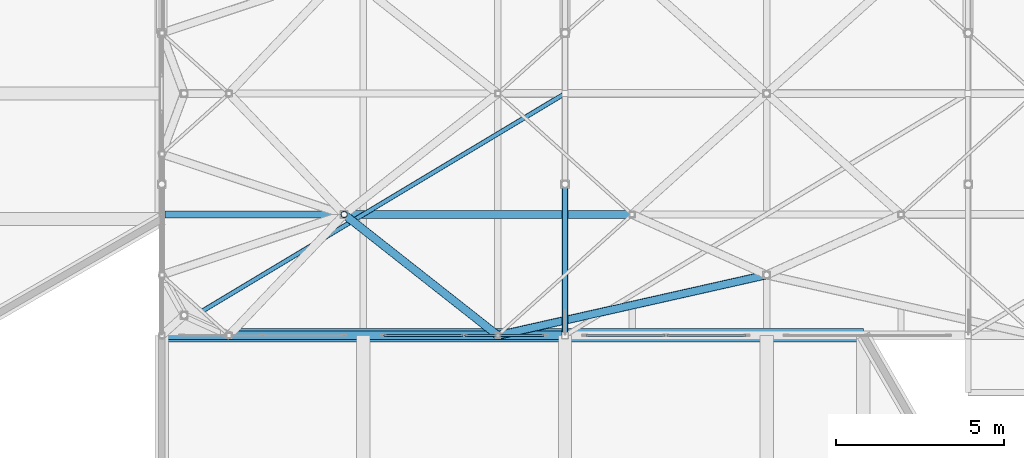
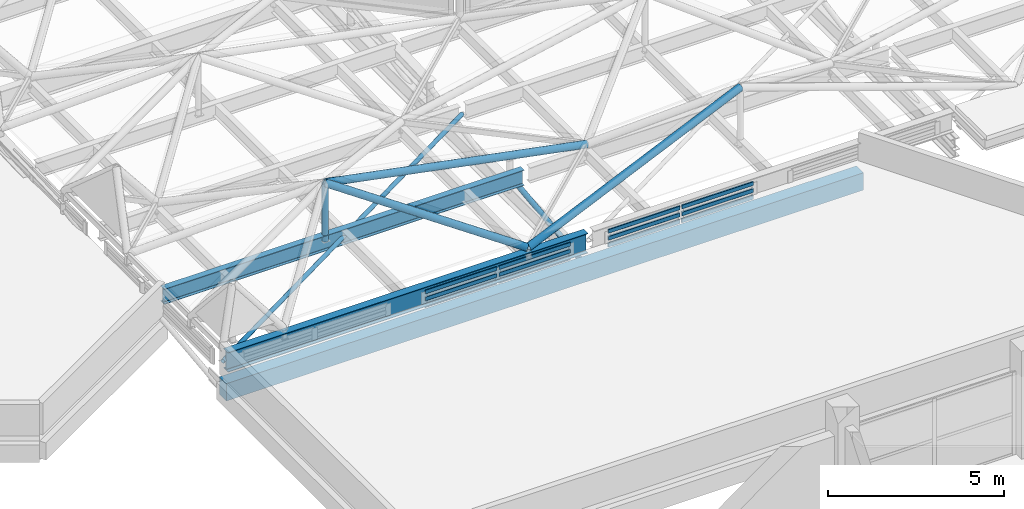
# One storey, part 8 of 239: 18 members, 3 beams, 2 elements without a shape of their own.
"""IFC4 building model written with IfcOpenShell, lengths in metres."""

from ifc_helpers import new_model, si_unit, direction, frame, origin, origin_2d, place, context, subcontext, project, spatial, rectangle, hollow_rectangle, hollow_circle, i_section, extrude, material, layer, layer_set, material_profile, profile_set, type_object, element, aggregate, save


model = new_model("IFC4")

# Units and contexts
model_context = context("Model", 3, precision=1e-05, world=origin(), true_north=direction((0.0, 1.0)))
body_context = subcontext(model_context, "Body", "Model", "MODEL_VIEW")
ifc_project = project(units=[si_unit("LENGTHUNIT", "METRE"), si_unit("AREAUNIT", "SQUARE_METRE"), si_unit("VOLUMEUNIT", "CUBIC_METRE"), si_unit("PLANEANGLEUNIT", "RADIAN"), si_unit("MASSUNIT", "GRAM", prefix="KILO")], contexts=[model_context])

# Site, building, storey
site_placement = place(None, origin())
site = spatial("IfcSite", under=ifc_project, at=site_placement, CompositionType="ELEMENT")
building_placement = place(site_placement, origin())
building = spatial("IfcBuilding", under=site, at=building_placement, Name="Dunvalen Ferry Terminal", CompositionType="ELEMENT")
storey_placement = place(building_placement, frame((0.0, 0.0, 9.840087890625)))
storey = spatial("IfcBuildingStorey", under=building, at=storey_placement, Name="L02", CompositionType="ELEMENT", Elevation=9.840087890625)

# Curtain wall, members
ifc_material_1 = material(Name="Anodised marine aluminium and solar-control glazing", Category="aluminium")
ifc_layer = layer(ifc_material_1, 0.219970703125, Name="Anodised marine aluminium and solar-control glazing")
ifc_layer_set = layer_set([ifc_layer], Name="Anodised marine aluminium and solar-control glazing")
curtain_wall_type = type_object("IfcCurtainWallType", Name="ENV-CW-SYS-02", PredefinedType="NOTDEFINED", material=ifc_layer_set)
curtain_wall_1_placement = place(storey_placement, origin())
curtain_wall_1 = element("IfcCurtainWall", 1, at=curtain_wall_1_placement, inside=storey, type_object=curtain_wall_type, Name="L02 Curtain Wall CW-V1SW-CLR-02", PredefinedType="NOTDEFINED")
ifc_material_2 = material(Name="Anodised marine aluminium EN AW-6063 T6", Category="aluminium")
ifc_material_profile_1 = material_profile(ifc_material_2, hollow_rectangle(XDim=0.06005859375, YDim=0.135009765625, WallThickness=0.003173828125, InnerFilletRadius=0.003173828125, OuterFilletRadius=0.00634765625, at=origin_2d()), Name="Anodised marine aluminium EN AW-6063 T6")
ifc_profile_set_1 = profile_set([ifc_material_profile_1], Name="Anodised marine aluminium EN AW-6063 T6")
member_type_1 = type_object("IfcMemberType", Name="ENV-CW-TRN-2", PredefinedType="USERDEFINED", material=ifc_profile_set_1)
member_1_placement = place(storey_placement, frame((18.6201171875, 50.39990234375, 0.27001953125), z_axis=(1.0, 0.0, 0.0), x_axis=(0.0, 1.0, 0.0)))
member_1 = element("IfcMember", 2, at=member_1_placement, type_object=member_type_1, Name="CW-02 transom 1.1", ObjectType="TRANSOM", PredefinedType="USERDEFINED", context=body_context, shape_type="SweptSolid", body=[
    extrude(hollow_rectangle(XDim=0.06005859375, YDim=0.135009765625, WallThickness=0.003173828125, InnerFilletRadius=0.003173828125, OuterFilletRadius=0.00634765625, at=origin_2d()), origin(), (0.0, 0.0, 1.0), 2.349853515625),
])
member_2_placement = place(storey_placement, frame((18.6201171875, 50.39990234375, 0.510009765625), z_axis=(1.0, 0.0, 0.0), x_axis=(0.0, 1.0, 0.0)))
member_2 = element("IfcMember", 3, at=member_2_placement, type_object=member_type_1, Name="CW-02 transom 1.2", ObjectType="TRANSOM", PredefinedType="USERDEFINED", context=body_context, shape_type="SweptSolid", body=[
    extrude(hollow_rectangle(XDim=0.06005859375, YDim=0.135009765625, WallThickness=0.003173828125, InnerFilletRadius=0.003173828125, OuterFilletRadius=0.00634765625, at=origin_2d()), origin(), (0.0, 0.0, 1.0), 2.349853515625),
])
member_3_placement = place(storey_placement, frame((18.6201171875, 50.39990234375, 0.75), z_axis=(1.0, 0.0, 0.0), x_axis=(0.0, 1.0, 0.0)))
member_3 = element("IfcMember", 4, at=member_3_placement, type_object=member_type_1, Name="CW-02 transom 1.3", ObjectType="TRANSOM", PredefinedType="USERDEFINED", context=body_context, shape_type="SweptSolid", body=[
    extrude(hollow_rectangle(XDim=0.06005859375, YDim=0.135009765625, WallThickness=0.003173828125, InnerFilletRadius=0.003173828125, OuterFilletRadius=0.00634765625, at=origin_2d()), origin(), (0.0, 0.0, 1.0), 2.349853515625),
])
member_4_placement = place(storey_placement, frame((21.030029296875, 50.39990234375, 0.27001953125), z_axis=(1.0, 0.0, 0.0), x_axis=(0.0, 1.0, 0.0)))
member_4 = element("IfcMember", 5, at=member_4_placement, type_object=member_type_1, Name="CW-02 transom 2.1", ObjectType="TRANSOM", PredefinedType="USERDEFINED", context=body_context, shape_type="SweptSolid", body=[
    extrude(hollow_rectangle(XDim=0.06005859375, YDim=0.135009765625, WallThickness=0.003173828125, InnerFilletRadius=0.003173828125, OuterFilletRadius=0.00634765625, at=origin_2d()), origin(), (0.0, 0.0, 1.0), 2.349853515625),
])
member_5_placement = place(storey_placement, frame((21.030029296875, 50.39990234375, 0.510009765625), z_axis=(1.0, 0.0, 0.0), x_axis=(0.0, 1.0, 0.0)))
member_5 = element("IfcMember", 6, at=member_5_placement, type_object=member_type_1, Name="CW-02 transom 2.2", ObjectType="TRANSOM", PredefinedType="USERDEFINED", context=body_context, shape_type="SweptSolid", body=[
    extrude(hollow_rectangle(XDim=0.06005859375, YDim=0.135009765625, WallThickness=0.003173828125, InnerFilletRadius=0.003173828125, OuterFilletRadius=0.00634765625, at=origin_2d()), origin(), (0.0, 0.0, 1.0), 2.349853515625),
])
member_6_placement = place(storey_placement, frame((21.030029296875, 50.39990234375, 0.75), z_axis=(1.0, 0.0, 0.0), x_axis=(0.0, 1.0, 0.0)))
member_6 = element("IfcMember", 7, at=member_6_placement, type_object=member_type_1, Name="CW-02 transom 2.3", ObjectType="TRANSOM", PredefinedType="USERDEFINED", context=body_context, shape_type="SweptSolid", body=[
    extrude(hollow_rectangle(XDim=0.06005859375, YDim=0.135009765625, WallThickness=0.003173828125, InnerFilletRadius=0.003173828125, OuterFilletRadius=0.00634765625, at=origin_2d()), origin(), (0.0, 0.0, 1.0), 2.349853515625),
])
aggregate(curtain_wall_1, [member_1, member_2, member_3, member_4, member_5, member_6])

curtain_wall_2_placement = place(storey_placement, origin())
curtain_wall_2 = element("IfcCurtainWall", 8, at=curtain_wall_2_placement, inside=storey, type_object=curtain_wall_type, Name="L02 Curtain Wall CW-V1SW-CLR-03", PredefinedType="NOTDEFINED")
member_7_placement = place(storey_placement, frame((24.6201171875, 50.39990234375, 0.27001953125), z_axis=(1.0, 0.0, 0.0), x_axis=(0.0, 1.0, 0.0)))
member_7 = element("IfcMember", 9, at=member_7_placement, type_object=member_type_1, Name="CW-02 transom 1.1", ObjectType="TRANSOM", PredefinedType="USERDEFINED", context=body_context, shape_type="SweptSolid", body=[
    extrude(hollow_rectangle(XDim=0.06005859375, YDim=0.135009765625, WallThickness=0.003173828125, InnerFilletRadius=0.003173828125, OuterFilletRadius=0.00634765625, at=origin_2d()), origin(), (0.0, 0.0, 1.0), 2.349853515625),
])
member_8_placement = place(storey_placement, frame((24.6201171875, 50.39990234375, 0.510009765625), z_axis=(1.0, 0.0, 0.0), x_axis=(0.0, 1.0, 0.0)))
member_8 = element("IfcMember", 10, at=member_8_placement, type_object=member_type_1, Name="CW-02 transom 1.2", ObjectType="TRANSOM", PredefinedType="USERDEFINED", context=body_context, shape_type="SweptSolid", body=[
    extrude(hollow_rectangle(XDim=0.06005859375, YDim=0.135009765625, WallThickness=0.003173828125, InnerFilletRadius=0.003173828125, OuterFilletRadius=0.00634765625, at=origin_2d()), origin(), (0.0, 0.0, 1.0), 2.349853515625),
])
member_9_placement = place(storey_placement, frame((24.6201171875, 50.39990234375, 0.75), z_axis=(1.0, 0.0, 0.0), x_axis=(0.0, 1.0, 0.0)))
member_9 = element("IfcMember", 11, at=member_9_placement, type_object=member_type_1, Name="CW-02 transom 1.3", ObjectType="TRANSOM", PredefinedType="USERDEFINED", context=body_context, shape_type="SweptSolid", body=[
    extrude(hollow_rectangle(XDim=0.06005859375, YDim=0.135009765625, WallThickness=0.003173828125, InnerFilletRadius=0.003173828125, OuterFilletRadius=0.00634765625, at=origin_2d()), origin(), (0.0, 0.0, 1.0), 2.349853515625),
])
member_10_placement = place(storey_placement, frame((27.030029296875, 50.39990234375, 0.27001953125), z_axis=(1.0, 0.0, 0.0), x_axis=(0.0, 1.0, 0.0)))
member_10 = element("IfcMember", 12, at=member_10_placement, type_object=member_type_1, Name="CW-02 transom 2.1", ObjectType="TRANSOM", PredefinedType="USERDEFINED", context=body_context, shape_type="SweptSolid", body=[
    extrude(hollow_rectangle(XDim=0.06005859375, YDim=0.135009765625, WallThickness=0.003173828125, InnerFilletRadius=0.003173828125, OuterFilletRadius=0.00634765625, at=origin_2d()), origin(), (0.0, 0.0, 1.0), 2.349853515625),
])
member_11_placement = place(storey_placement, frame((27.030029296875, 50.39990234375, 0.510009765625), z_axis=(1.0, 0.0, 0.0), x_axis=(0.0, 1.0, 0.0)))
member_11 = element("IfcMember", 13, at=member_11_placement, type_object=member_type_1, Name="CW-02 transom 2.2", ObjectType="TRANSOM", PredefinedType="USERDEFINED", context=body_context, shape_type="SweptSolid", body=[
    extrude(hollow_rectangle(XDim=0.06005859375, YDim=0.135009765625, WallThickness=0.003173828125, InnerFilletRadius=0.003173828125, OuterFilletRadius=0.00634765625, at=origin_2d()), origin(), (0.0, 0.0, 1.0), 2.349853515625),
])
member_12_placement = place(storey_placement, frame((27.030029296875, 50.39990234375, 0.75), z_axis=(1.0, 0.0, 0.0), x_axis=(0.0, 1.0, 0.0)))
member_12 = element("IfcMember", 14, at=member_12_placement, type_object=member_type_1, Name="CW-02 transom 2.3", ObjectType="TRANSOM", PredefinedType="USERDEFINED", context=body_context, shape_type="SweptSolid", body=[
    extrude(hollow_rectangle(XDim=0.06005859375, YDim=0.135009765625, WallThickness=0.003173828125, InnerFilletRadius=0.003173828125, OuterFilletRadius=0.00634765625, at=origin_2d()), origin(), (0.0, 0.0, 1.0), 2.349853515625),
])
aggregate(curtain_wall_2, [member_7, member_8, member_9, member_10, member_11, member_12])

# Beams
ifc_material_3 = material(Name="Concrete C35/45", Category="concrete")
ifc_material_profile_2 = material_profile(ifc_material_3, rectangle(XDim=0.39990234375, YDim=0.60009765625, at=origin_2d()), Name="Concrete C35/45")
ifc_profile_set_2 = profile_set([ifc_material_profile_2], Name="Concrete C35/45")
beam_type_1 = type_object("IfcBeamType", Name="STR-BM-RCB600", PredefinedType="BEAM", material=ifc_profile_set_2)
beam_1_placement = place(storey_placement, frame((32.882080078125, 50.39990234375, -0.300048828125), z_axis=(-1.0, 0.0, 0.0), x_axis=(0.0, -1.0, 0.0)))
element("IfcBeam", 15, at=beam_1_placement, inside=storey, type_object=beam_type_1, Name="L02 South-West Security Annex Ring Beam 04", PredefinedType="BEAM", context=body_context, shape_type="SweptSolid", body=[
    extrude(rectangle(XDim=0.39990234375, YDim=0.60009765625, at=origin_2d()), origin(), (0.0, 0.0, 1.0), 20.882080078125),
])
ifc_material_4 = material(Name="Steel S355", Category="steel")
ifc_material_profile_3 = material_profile(ifc_material_4, i_section(OverallWidth=0.209228515625, OverallDepth=0.533203125, WebThickness=0.010009765625, FlangeThickness=0.015625, FilletRadius=0.0126953125, at=origin_2d()), Name="Steel S355")
ifc_profile_set_3 = profile_set([ifc_material_profile_3], Name="Steel S355")
beam_type_2 = type_object("IfcBeamType", Name="STR-BM-UKB533", PredefinedType="BEAM", material=ifc_profile_set_3)
beam_2_placement = place(storey_placement, frame((12.10009765625, 54.0, 0.7333984375), z_axis=(1.0, 0.0, 0.0), x_axis=(0.0, 1.0, 0.0)))
element("IfcBeam", 16, at=beam_2_placement, inside=storey, type_object=beam_type_2, Name="Departure Hall Spine Girder B1.02", PredefinedType="BEAM", context=body_context, shape_type="SweptSolid", body=[
    extrude(i_section(OverallWidth=0.209228515625, OverallDepth=0.533203125, WebThickness=0.010009765625, FlangeThickness=0.015625, FilletRadius=0.0126953125, at=origin_2d()), origin(), (0.0, 0.0, 1.0), 11.7998046875),
])
ifc_material_profile_4 = material_profile(ifc_material_4, i_section(OverallWidth=0.253662109375, OverallDepth=0.68359375, WebThickness=0.012451171875, FlangeThickness=0.01904296875, FilletRadius=0.01513671875, at=origin_2d()), Name="Steel S355")
ifc_profile_set_4 = profile_set([ifc_material_profile_4], Name="Steel S355")
beam_type_3 = type_object("IfcBeamType", Name="STR-BM-UKB686", PredefinedType="BEAM", material=ifc_profile_set_4)
beam_3_placement = place(storey_placement, frame((12.10009765625, 50.39990234375, 0.658203125), z_axis=(1.0, 0.0, 0.0), x_axis=(0.0, 1.0, 0.0)))
element("IfcBeam", 17, at=beam_3_placement, inside=storey, type_object=beam_type_3, Name="Departure Hall Spine Girder B1.01", PredefinedType="BEAM", context=body_context, shape_type="SweptSolid", body=[
    extrude(i_section(OverallWidth=0.253662109375, OverallDepth=0.68359375, WebThickness=0.012451171875, FlangeThickness=0.01904296875, FilletRadius=0.01513671875, at=origin_2d()), origin(), (0.0, 0.0, 1.0), 11.7998046875),
])

# Members
ifc_material_profile_5 = material_profile(ifc_material_4, hollow_circle(Radius=0.06982421875, WallThickness=0.00634765625, at=origin_2d()), Name="Steel S355")
ifc_profile_set_5 = profile_set([ifc_material_profile_5], Name="Steel S355")
member_type_2 = type_object("IfcMemberType", Name="STR-MB-CHS139", PredefinedType="BRACE", material=ifc_profile_set_5)
member_13_placement = place(storey_placement, frame((12.0, 50.39990234375, 0.659912109375), z_axis=(0.857486768376, 0.514506017516, 0.0), x_axis=(-0.514506017516, 0.857486768376, 0.0)))
element("IfcMember", 18, at=member_13_placement, inside=storey, type_object=member_type_2, Name="Departure Hall Roof Wind Brace 1A", PredefinedType="BRACE", context=body_context, shape_type="SweptSolid", body=[
    extrude(hollow_circle(Radius=0.06982421875, WallThickness=0.00634765625, at=origin_2d()), origin(), (0.0, 0.0, 1.0), 13.994384765625),
])
ifc_material_profile_6 = material_profile(ifc_material_4, hollow_circle(Radius=0.084228515625, WallThickness=0.008056640625, at=origin_2d()), Name="Steel S355")
ifc_profile_set_6 = profile_set([ifc_material_profile_6], Name="Steel S355")
member_type_3 = type_object("IfcMemberType", Name="STR-MB-CHS168", PredefinedType="BRACE", material=ifc_profile_set_6)
member_14_placement = place(storey_placement, frame((24.0, 50.39990234375, -0.360107421875), z_axis=(0.0, 0.993166043245, 0.116709941931), x_axis=(-1.0, 0.0, 0.0)))
element("IfcMember", 19, at=member_14_placement, inside=storey, type_object=member_type_3, Name="Departure Hall Arch Web Diagonal 02.1", PredefinedType="BRACE", context=body_context, shape_type="SweptSolid", body=[
    extrude(hollow_circle(Radius=0.084228515625, WallThickness=0.008056640625, at=origin_2d()), origin(), (0.0, 0.0, 1.0), 4.531005859375),
])
ifc_material_profile_7 = material_profile(ifc_material_4, hollow_circle(Radius=0.096923828125, WallThickness=0.008056640625, at=origin_2d()), Name="Steel S355")
ifc_profile_set_7 = profile_set([ifc_material_profile_7], Name="Steel S355")
member_type_4 = type_object("IfcMemberType", Name="STR-MB-CHS193", PredefinedType="STRUT", material=ifc_profile_set_7)
member_15_placement = place(storey_placement, frame((17.4287109375, 54.0, 0.77001953125), z_axis=(0.0, 0.0, 1.0), x_axis=(1.0, 0.0, 0.0)))
element("IfcMember", 20, at=member_15_placement, inside=storey, type_object=member_type_4, Name="HEX-07 Pyramid Apex Strut", PredefinedType="STRUT", context=body_context, shape_type="SweptSolid", body=[
    extrude(hollow_circle(Radius=0.096923828125, WallThickness=0.008056640625, at=origin_2d()), origin(), (0.0, 0.0, 1.0), 1.994873046875),
])
ifc_material_profile_8 = material_profile(ifc_material_4, hollow_circle(Radius=0.122314453125, WallThickness=0.010009765625, at=origin_2d()), Name="Steel S355")
ifc_profile_set_8 = profile_set([ifc_material_profile_8], Name="Steel S355")
member_type_5 = type_object("IfcMemberType", Name="STR-MB-CHS244", PredefinedType="STRUT", material=ifc_profile_set_8)
member_16_placement = place(storey_placement, frame((22.0, 50.39990234375, 1.099853515625), z_axis=(-0.755303948682, 0.594836147579, 0.275110709785), x_axis=(-0.61871061037, -0.785618979287, 0.0)))
element("IfcMember", 21, at=member_16_placement, inside=storey, type_object=member_type_5, Name="HEX-07 Pyramid Hip Rafter 4", PredefinedType="STRUT", context=body_context, shape_type="SweptSolid", body=[
    extrude(hollow_circle(Radius=0.122314453125, WallThickness=0.010009765625, at=origin_2d()), origin(), (0.0, 0.0, 1.0), 6.05224609375),
])
member_17_placement = place(storey_placement, frame((26.0, 54.0, 1.099853515625), z_axis=(-0.981649716778, 0.0, 0.190693034876), x_axis=(0.0, -1.0, 0.0)))
element("IfcMember", 22, at=member_17_placement, inside=storey, type_object=member_type_5, Name="HEX-07 Pyramid Hip Rafter 5", PredefinedType="STRUT", context=body_context, shape_type="SweptSolid", body=[
    extrude(hollow_circle(Radius=0.122314453125, WallThickness=0.010009765625, at=origin_2d()), origin(), (0.0, 0.0, 1.0), 8.7314453125),
])
member_18_placement = place(storey_placement, frame((22.0, 50.39990234375, 1.099853515625), z_axis=(0.956097314692, 0.215127731361, 0.198992422064), x_axis=(-0.219517862832, 0.975608480846, 0.0)))
element("IfcMember", 23, at=member_18_placement, inside=storey, type_object=member_type_5, Name="HEX-12 Pyramid Hip Rafter 1", PredefinedType="STRUT", context=body_context, shape_type="SweptSolid", body=[
    extrude(hollow_circle(Radius=0.122314453125, WallThickness=0.010009765625, at=origin_2d()), origin(), (0.0, 0.0, 1.0), 8.367431640625),
])

save(model, "model.ifc")
